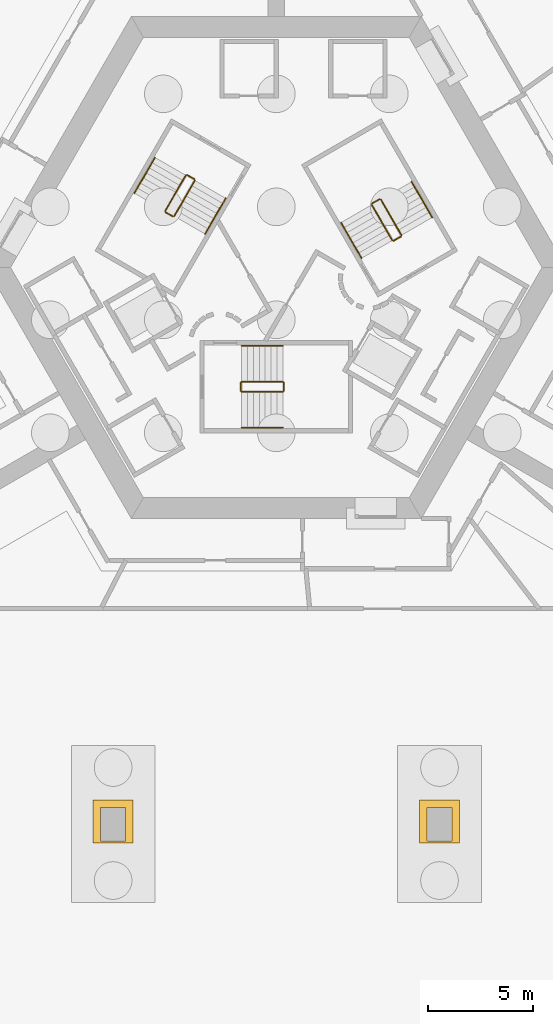
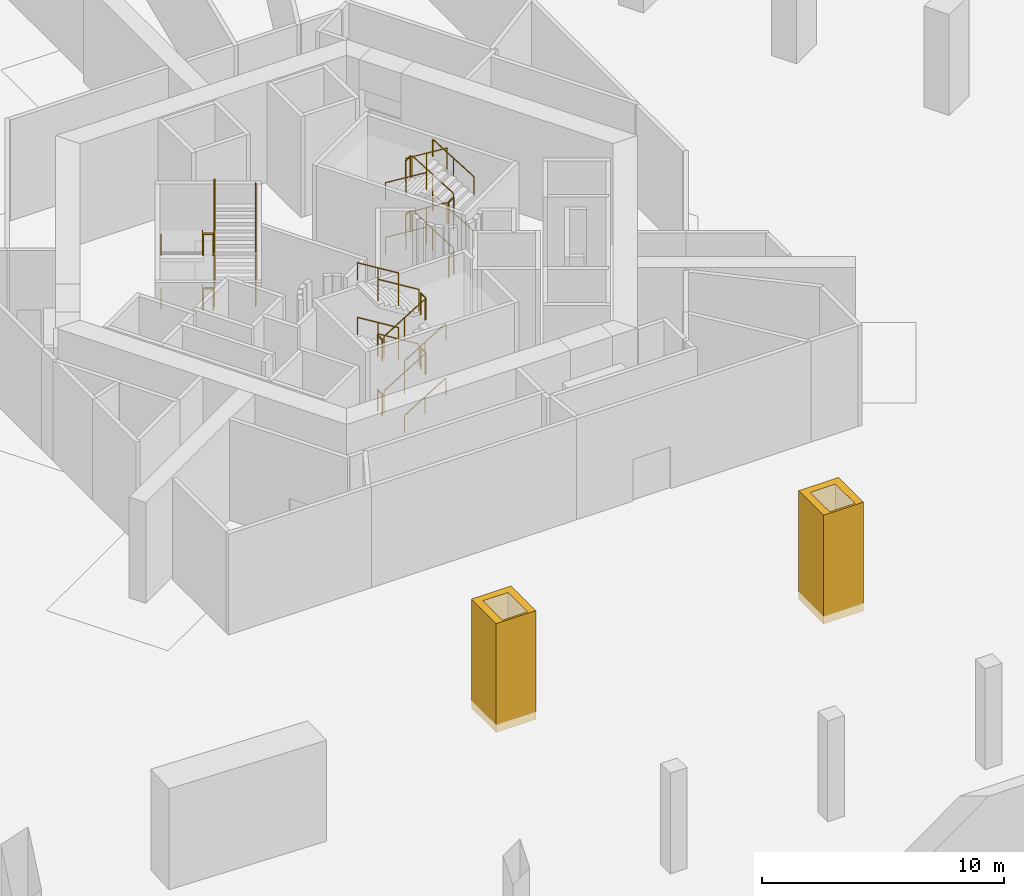
# One storey, part 13 of 14: 36 railings, 2 coverings.
"""IFC4 building model written with IfcOpenShell, lengths in metres."""

from ifc_helpers import new_model, si_unit, direction, frame, origin, origin_2d, place, context, subcontext, project, spatial, polyline, circle, outline, extrude, material, type_object, element, save


model = new_model("IFC4")

# Units and contexts
model_context = context("Model", 3, precision=1e-05, world=origin(), true_north=direction((0.0, 1.0)))
body_context = subcontext(model_context, "Body", "Model", "MODEL_VIEW")
ifc_project = project(units=[si_unit("LENGTHUNIT", "METRE"), si_unit("AREAUNIT", "SQUARE_METRE"), si_unit("VOLUMEUNIT", "CUBIC_METRE"), si_unit("PLANEANGLEUNIT", "RADIAN"), si_unit("MASSUNIT", "GRAM", prefix="KILO")], contexts=[model_context])

# Site, building, storey
site_placement = place(None, origin())
site = spatial("IfcSite", under=ifc_project, at=site_placement, CompositionType="ELEMENT")
building_placement = place(site_placement, origin())
building = spatial("IfcBuilding", under=site, at=building_placement, Name="Entoto Arch Interchange Tower", CompositionType="ELEMENT")
storey_placement = place(building_placement, frame((0.0, 0.0, -16.5)))
storey = spatial("IfcBuildingStorey", under=building, at=storey_placement, Name="B3", CompositionType="ELEMENT", Elevation=-16.5)

# Coverings
ifc_material_1 = material(Name="Board-marked precast concrete C50/60", Category="concrete")
covering_type = type_object("IfcCoveringType", Name="PRECAST FRAME COURSE", PredefinedType="CLADDING", material=ifc_material_1)
covering_1_placement = place(storey_placement, frame((0.0, 0.0, -0.39990234375)))
element("IfcCovering", 1, at=covering_1_placement, inside=storey, type_object=covering_type, Name="Gate pier B3", PredefinedType="CLADDING", context=body_context, shape_type="SweptSolid", body=[
    extrude(outline(polyline([(-8.75, -22.949951171875), (-6.85009765625, -22.949951171875), (-6.85009765625, -24.9990234375), (-8.75, -24.9990234375), (-8.75, -22.949951171875)]), holes=[polyline([(-8.39990234375, -23.300048828125), (-8.39990234375, -24.89990234375), (-7.199951171875, -24.89990234375), (-7.199951171875, -23.300048828125), (-8.39990234375, -23.300048828125)])]), origin(), (0.0, 0.0, 1.0), 5.47998046875),
])
covering_2_placement = place(storey_placement, frame((0.0, 0.0, -0.39990234375)))
element("IfcCovering", 2, at=covering_2_placement, inside=storey, type_object=covering_type, Name="Gate pier B3", PredefinedType="CLADDING", context=body_context, shape_type="SweptSolid", body=[
    extrude(outline(polyline([(6.85009765625, -22.949951171875), (8.75, -22.949951171875), (8.75, -24.9990234375), (6.85009765625, -24.9990234375), (6.85009765625, -22.949951171875)]), holes=[polyline([(7.199951171875, -23.300048828125), (7.199951171875, -24.89990234375), (8.39990234375, -24.89990234375), (8.39990234375, -23.300048828125), (7.199951171875, -23.300048828125)])]), origin(), (0.0, 0.0, 1.0), 5.47998046875),
])

# Railings
ifc_material_2 = material(Name="Stainless steel 1.4301", Category="steel")
railing_type_1 = type_object("IfcRailingType", Name="STAIR GUARD 1100 STEEL", PredefinedType="GUARDRAIL", material=ifc_material_2)
railing_1_placement = place(storey_placement, frame((-1.64990234375, -3.449951171875, 0.171875)))
element("IfcRailing", 3, at=railing_1_placement, inside=storey, type_object=railing_type_1, Name="B3 ST-S stair guard 1", PredefinedType="GUARDRAIL", context=body_context, shape_type="SweptSolid", body=[
    extrude(circle(Radius=0.02392578125, at=origin_2d()), frame((0.0, 0.0, 1.076171875), z_axis=(0.852240978134, 0.0, 0.523149419562), x_axis=(0.0, 1.0, 0.0)), (0.0, 0.0, 1.0), 2.2998046875),
    extrude(circle(Radius=0.02099609375, at=origin_2d()), origin(), (0.0, 0.0, 1.0), 1.052001953125),
    extrude(circle(Radius=0.02099609375, at=origin_2d()), frame((0.97998046875, 0.0, 0.6015625)), (0.0, 0.0, 1.0), 1.052001953125),
    extrude(circle(Radius=0.02099609375, at=origin_2d()), frame((1.9599609375, 0.0, 1.203125)), (0.0, 0.0, 1.0), 1.052001953125),
])
railing_2_placement = place(storey_placement, frame((0.360107421875, -3.39990234375, 1.375)))
element("IfcRailing", 4, at=railing_2_placement, inside=storey, type_object=railing_type_1, Name="B3 ST-S stair guard 2", PredefinedType="GUARDRAIL", context=body_context, shape_type="SweptSolid", body=[
    extrude(circle(Radius=0.02392578125, at=origin_2d()), frame((0.0, 0.0, 1.076171875), z_axis=(0.0, 1.0, 0.0), x_axis=(-1.0, 0.0, 0.0)), (0.0, 0.0, 1.0), 0.39990234375),
    extrude(circle(Radius=0.02099609375, at=origin_2d()), origin(), (0.0, 0.0, 1.0), 1.052001953125),
    extrude(circle(Radius=0.02099609375, at=origin_2d()), frame((0.0, 0.39990234375, 0.0)), (0.0, 0.0, 1.0), 1.052001953125),
])
railing_3_placement = place(storey_placement, frame((0.31005859375, -2.949951171875, 1.546875)))
element("IfcRailing", 5, at=railing_3_placement, inside=storey, type_object=railing_type_1, Name="B3 ST-S stair guard 3", PredefinedType="GUARDRAIL", context=body_context, shape_type="SweptSolid", body=[
    extrude(circle(Radius=0.02392578125, at=origin_2d()), frame((0.0, 0.0, 1.076171875), z_axis=(-0.852240978134, 0.0, 0.523149419562), x_axis=(0.0, -1.0, 0.0)), (0.0, 0.0, 1.0), 2.2998046875),
    extrude(circle(Radius=0.02099609375, at=origin_2d()), origin(), (0.0, 0.0, 1.0), 1.052001953125),
    extrude(circle(Radius=0.02099609375, at=origin_2d()), frame((-0.97998046875, 0.0, 0.6015625)), (0.0, 0.0, 1.0), 1.052001953125),
    extrude(circle(Radius=0.02099609375, at=origin_2d()), frame((-1.9599609375, 0.0, 1.203125)), (0.0, 0.0, 1.0), 1.052001953125),
])
railing_4_placement = place(storey_placement, frame((-1.699951171875, -3.39990234375, 2.75)))
element("IfcRailing", 6, at=railing_4_placement, inside=storey, type_object=railing_type_1, Name="B3 ST-S stair guard 4", PredefinedType="GUARDRAIL", context=body_context, shape_type="SweptSolid", body=[
    extrude(circle(Radius=0.02392578125, at=origin_2d()), frame((0.0, 0.0, 1.076171875), z_axis=(0.0, 1.0, 0.0), x_axis=(-1.0, 0.0, 0.0)), (0.0, 0.0, 1.0), 0.39990234375),
    extrude(circle(Radius=0.02099609375, at=origin_2d()), origin(), (0.0, 0.0, 1.0), 1.052001953125),
    extrude(circle(Radius=0.02099609375, at=origin_2d()), frame((0.0, 0.39990234375, 0.0)), (0.0, 0.0, 1.0), 1.052001953125),
])
railing_5_placement = place(storey_placement, frame((-1.64990234375, -3.449951171875, 2.921875)))
element("IfcRailing", 7, at=railing_5_placement, inside=storey, type_object=railing_type_1, Name="B3 ST-S stair guard 5", PredefinedType="GUARDRAIL", context=body_context, shape_type="SweptSolid", body=[
    extrude(circle(Radius=0.02392578125, at=origin_2d()), frame((0.0, 0.0, 1.076171875), z_axis=(0.852240978134, 0.0, 0.523149419562), x_axis=(0.0, 1.0, 0.0)), (0.0, 0.0, 1.0), 2.2998046875),
    extrude(circle(Radius=0.02099609375, at=origin_2d()), origin(), (0.0, 0.0, 1.0), 1.052001953125),
    extrude(circle(Radius=0.02099609375, at=origin_2d()), frame((0.97998046875, 0.0, 0.6015625)), (0.0, 0.0, 1.0), 1.052001953125),
    extrude(circle(Radius=0.02099609375, at=origin_2d()), frame((1.9599609375, 0.0, 1.203125)), (0.0, 0.0, 1.0), 1.052001953125),
])
railing_6_placement = place(storey_placement, frame((0.360107421875, -3.39990234375, 4.125)))
element("IfcRailing", 8, at=railing_6_placement, inside=storey, type_object=railing_type_1, Name="B3 ST-S stair guard 6", PredefinedType="GUARDRAIL", context=body_context, shape_type="SweptSolid", body=[
    extrude(circle(Radius=0.02392578125, at=origin_2d()), frame((0.0, 0.0, 1.076171875), z_axis=(0.0, 1.0, 0.0), x_axis=(-1.0, 0.0, 0.0)), (0.0, 0.0, 1.0), 0.39990234375),
    extrude(circle(Radius=0.02099609375, at=origin_2d()), origin(), (0.0, 0.0, 1.0), 1.052001953125),
    extrude(circle(Radius=0.02099609375, at=origin_2d()), frame((0.0, 0.39990234375, 0.0)), (0.0, 0.0, 1.0), 1.052001953125),
])
railing_7_placement = place(storey_placement, frame((0.31005859375, -2.949951171875, 4.296875)))
element("IfcRailing", 9, at=railing_7_placement, inside=storey, type_object=railing_type_1, Name="B3 ST-S stair guard 7", PredefinedType="GUARDRAIL", context=body_context, shape_type="SweptSolid", body=[
    extrude(circle(Radius=0.02392578125, at=origin_2d()), frame((0.0, 0.0, 1.076171875), z_axis=(-0.852240978134, 0.0, 0.523149419562), x_axis=(0.0, -1.0, 0.0)), (0.0, 0.0, 1.0), 2.2998046875),
    extrude(circle(Radius=0.02099609375, at=origin_2d()), origin(), (0.0, 0.0, 1.0), 1.052001953125),
    extrude(circle(Radius=0.02099609375, at=origin_2d()), frame((-0.97998046875, 0.0, 0.6015625)), (0.0, 0.0, 1.0), 1.052001953125),
    extrude(circle(Radius=0.02099609375, at=origin_2d()), frame((-1.9599609375, 0.0, 1.203125)), (0.0, 0.0, 1.0), 1.052001953125),
])
railing_8_placement = place(storey_placement, frame((-1.699951171875, -3.39990234375, 0.0)))
element("IfcRailing", 10, at=railing_8_placement, inside=storey, type_object=railing_type_1, Name="B3 ST-S stair guard 8", PredefinedType="GUARDRAIL", context=body_context, shape_type="SweptSolid", body=[
    extrude(circle(Radius=0.02392578125, at=origin_2d()), frame((0.0, 0.0, 1.076171875), z_axis=(0.0, 1.0, 0.0), x_axis=(-1.0, 0.0, 0.0)), (0.0, 0.0, 1.0), 0.39990234375),
    extrude(circle(Radius=0.02099609375, at=origin_2d()), origin(), (0.0, 0.0, 1.0), 1.052001953125),
    extrude(circle(Radius=0.02099609375, at=origin_2d()), frame((0.0, 0.39990234375, 0.0)), (0.0, 0.0, 1.0), 1.052001953125),
])
railing_9_placement = place(storey_placement, frame((5.977783203125, 4.046142578125, 0.171875)))
element("IfcRailing", 11, at=railing_9_placement, inside=storey, type_object=railing_type_1, Name="B3 ST-NE stair guard 1", PredefinedType="GUARDRAIL", context=body_context, shape_type="SweptSolid", body=[
    extrude(circle(Radius=0.02392578125, at=origin_2d()), frame((0.0, 0.0, 1.076171875), z_axis=(-0.42613557846, 0.738040493636, 0.523167944856), x_axis=(-0.866011328839, -0.500024377727, 0.0)), (0.0, 0.0, 1.0), 2.2998046875),
    extrude(circle(Radius=0.02099609375, at=origin_2d()), origin(), (0.0, 0.0, 1.0), 1.052001953125),
    extrude(circle(Radius=0.02099609375, at=origin_2d()), frame((-0.489990234375, 0.8486328125, 0.6015625)), (0.0, 0.0, 1.0), 1.052001953125),
    extrude(circle(Radius=0.02099609375, at=origin_2d()), frame((-0.97998046875, 1.697265625, 1.203125)), (0.0, 0.0, 1.0), 1.052001953125),
])
railing_10_placement = place(storey_placement, frame((4.929443359375, 5.76171875, 1.375)))
element("IfcRailing", 12, at=railing_10_placement, inside=storey, type_object=railing_type_1, Name="B3 ST-NE stair guard 2", PredefinedType="GUARDRAIL", context=body_context, shape_type="SweptSolid", body=[
    extrude(circle(Radius=0.02392578125, at=origin_2d()), frame((0.0, 0.0, 1.076171875), z_axis=(-0.865941482684, -0.500145327446, 0.0), x_axis=(0.500145327446, -0.865941482684, 0.0)), (0.0, 0.0, 1.0), 0.39990234375),
    extrude(circle(Radius=0.02099609375, at=origin_2d()), origin(), (0.0, 0.0, 1.0), 1.052001953125),
    extrude(circle(Radius=0.02099609375, at=origin_2d()), frame((-0.34619140625, -0.199951171875, 0.0)), (0.0, 0.0, 1.0), 1.052001953125),
])
railing_11_placement = place(storey_placement, frame((4.56494140625, 5.493408203125, 1.546875)))
element("IfcRailing", 13, at=railing_11_placement, inside=storey, type_object=railing_type_1, Name="B3 ST-NE stair guard 3", PredefinedType="GUARDRAIL", context=body_context, shape_type="SweptSolid", body=[
    extrude(circle(Radius=0.02392578125, at=origin_2d()), frame((0.0, 0.0, 1.076171875), z_axis=(0.42613557846, -0.738040493636, 0.523167944856), x_axis=(0.866011328839, 0.500024377727, 0.0)), (0.0, 0.0, 1.0), 2.2998046875),
    extrude(circle(Radius=0.02099609375, at=origin_2d()), origin(), (0.0, 0.0, 1.0), 1.052001953125),
    extrude(circle(Radius=0.02099609375, at=origin_2d()), frame((0.489990234375, -0.8486328125, 0.6015625)), (0.0, 0.0, 1.0), 1.052001953125),
    extrude(circle(Radius=0.02099609375, at=origin_2d()), frame((0.97998046875, -1.697265625, 1.203125)), (0.0, 0.0, 1.0), 1.052001953125),
])
railing_12_placement = place(storey_placement, frame((5.95947265625, 3.977783203125, 2.75)))
element("IfcRailing", 14, at=railing_12_placement, inside=storey, type_object=railing_type_1, Name="B3 ST-NE stair guard 4", PredefinedType="GUARDRAIL", context=body_context, shape_type="SweptSolid", body=[
    extrude(circle(Radius=0.02392578125, at=origin_2d()), frame((0.0, 0.0, 1.076171875), z_axis=(-0.866094119867, -0.499880961361, 0.0), x_axis=(0.499880961361, -0.866094119867, 0.0)), (0.0, 0.0, 1.0), 0.39990234375),
    extrude(circle(Radius=0.02099609375, at=origin_2d()), origin(), (0.0, 0.0, 1.0), 1.052001953125),
    extrude(circle(Radius=0.02099609375, at=origin_2d()), frame((-0.346435546875, -0.199951171875, 0.0)), (0.0, 0.0, 1.0), 1.052001953125),
])
railing_13_placement = place(storey_placement, frame((5.977783203125, 4.046142578125, 2.921875)))
element("IfcRailing", 15, at=railing_13_placement, inside=storey, type_object=railing_type_1, Name="B3 ST-NE stair guard 5", PredefinedType="GUARDRAIL", context=body_context, shape_type="SweptSolid", body=[
    extrude(circle(Radius=0.02392578125, at=origin_2d()), frame((0.0, 0.0, 1.076171875), z_axis=(-0.42613557846, 0.738040493636, 0.523167944856), x_axis=(-0.866011328839, -0.500024377727, 0.0)), (0.0, 0.0, 1.0), 2.2998046875),
    extrude(circle(Radius=0.02099609375, at=origin_2d()), origin(), (0.0, 0.0, 1.0), 1.052001953125),
    extrude(circle(Radius=0.02099609375, at=origin_2d()), frame((-0.489990234375, 0.8486328125, 0.6015625)), (0.0, 0.0, 1.0), 1.052001953125),
    extrude(circle(Radius=0.02099609375, at=origin_2d()), frame((-0.97998046875, 1.697265625, 1.203125)), (0.0, 0.0, 1.0), 1.052001953125),
])
railing_14_placement = place(storey_placement, frame((4.929443359375, 5.76171875, 4.125)))
element("IfcRailing", 16, at=railing_14_placement, inside=storey, type_object=railing_type_1, Name="B3 ST-NE stair guard 6", PredefinedType="GUARDRAIL", context=body_context, shape_type="SweptSolid", body=[
    extrude(circle(Radius=0.02392578125, at=origin_2d()), frame((0.0, 0.0, 1.076171875), z_axis=(-0.865941482684, -0.500145327446, 0.0), x_axis=(0.500145327446, -0.865941482684, 0.0)), (0.0, 0.0, 1.0), 0.39990234375),
    extrude(circle(Radius=0.02099609375, at=origin_2d()), origin(), (0.0, 0.0, 1.0), 1.052001953125),
    extrude(circle(Radius=0.02099609375, at=origin_2d()), frame((-0.34619140625, -0.199951171875, 0.0)), (0.0, 0.0, 1.0), 1.052001953125),
])
railing_15_placement = place(storey_placement, frame((4.56494140625, 5.493408203125, 4.296875)))
element("IfcRailing", 17, at=railing_15_placement, inside=storey, type_object=railing_type_1, Name="B3 ST-NE stair guard 7", PredefinedType="GUARDRAIL", context=body_context, shape_type="SweptSolid", body=[
    extrude(circle(Radius=0.02392578125, at=origin_2d()), frame((0.0, 0.0, 1.076171875), z_axis=(0.42613557846, -0.738040493636, 0.523167944856), x_axis=(0.866011328839, 0.500024377727, 0.0)), (0.0, 0.0, 1.0), 2.2998046875),
    extrude(circle(Radius=0.02099609375, at=origin_2d()), origin(), (0.0, 0.0, 1.0), 1.052001953125),
    extrude(circle(Radius=0.02099609375, at=origin_2d()), frame((0.489990234375, -0.8486328125, 0.6015625)), (0.0, 0.0, 1.0), 1.052001953125),
    extrude(circle(Radius=0.02099609375, at=origin_2d()), frame((0.97998046875, -1.697265625, 1.203125)), (0.0, 0.0, 1.0), 1.052001953125),
])
railing_16_placement = place(storey_placement, frame((5.95947265625, 3.977783203125, 0.0)))
element("IfcRailing", 18, at=railing_16_placement, inside=storey, type_object=railing_type_1, Name="B3 ST-NE stair guard 8", PredefinedType="GUARDRAIL", context=body_context, shape_type="SweptSolid", body=[
    extrude(circle(Radius=0.02392578125, at=origin_2d()), frame((0.0, 0.0, 1.076171875), z_axis=(-0.866094119867, -0.499880961361, 0.0), x_axis=(0.499880961361, -0.866094119867, 0.0)), (0.0, 0.0, 1.0), 0.39990234375),
    extrude(circle(Radius=0.02099609375, at=origin_2d()), origin(), (0.0, 0.0, 1.0), 1.052001953125),
    extrude(circle(Radius=0.02099609375, at=origin_2d()), frame((-0.346435546875, -0.199951171875, 0.0)), (0.0, 0.0, 1.0), 1.052001953125),
])
railing_17_placement = place(storey_placement, frame((-4.327880859375, 6.904052734375, 0.171875)))
element("IfcRailing", 19, at=railing_17_placement, inside=storey, type_object=railing_type_1, Name="B3 ST-NW stair guard 1", PredefinedType="GUARDRAIL", context=body_context, shape_type="SweptSolid", body=[
    extrude(circle(Radius=0.02392578125, at=origin_2d()), frame((0.0, 0.0, 1.076171875), z_axis=(-0.426102191367, -0.738088823262, 0.52312695542), x_axis=(0.866042469362, -0.499970440388, 0.0)), (0.0, 0.0, 1.0), 2.2998046875),
    extrude(circle(Radius=0.02099609375, at=origin_2d()), origin(), (0.0, 0.0, 1.0), 1.052001953125),
    extrude(circle(Radius=0.02099609375, at=origin_2d()), frame((-0.489990234375, -0.8486328125, 0.6015625)), (0.0, 0.0, 1.0), 1.052001953125),
    extrude(circle(Radius=0.02099609375, at=origin_2d()), frame((-0.97998046875, -1.697509765625, 1.203125)), (0.0, 0.0, 1.0), 1.052001953125),
])
railing_18_placement = place(storey_placement, frame((-5.28955078125, 5.13818359375, 1.375)))
element("IfcRailing", 20, at=railing_18_placement, inside=storey, type_object=railing_type_1, Name="B3 ST-NW stair guard 2", PredefinedType="GUARDRAIL", context=body_context, shape_type="SweptSolid", body=[
    extrude(circle(Radius=0.02392578125, at=origin_2d()), frame((0.0, 0.0, 1.076171875), z_axis=(0.866094119867, -0.499880961361, 0.0), x_axis=(0.499880961361, 0.866094119867, 0.0)), (0.0, 0.0, 1.0), 0.39990234375),
    extrude(circle(Radius=0.02099609375, at=origin_2d()), origin(), (0.0, 0.0, 1.0), 1.052001953125),
    extrude(circle(Radius=0.02099609375, at=origin_2d()), frame((0.346435546875, -0.199951171875, 0.0)), (0.0, 0.0, 1.0), 1.052001953125),
])
railing_19_placement = place(storey_placement, frame((-4.874755859375, 4.95654296875, 1.546875)))
element("IfcRailing", 21, at=railing_19_placement, inside=storey, type_object=railing_type_1, Name="B3 ST-NW stair guard 3", PredefinedType="GUARDRAIL", context=body_context, shape_type="SweptSolid", body=[
    extrude(circle(Radius=0.02392578125, at=origin_2d()), frame((0.0, 0.0, 1.076171875), z_axis=(0.426102191367, 0.738088823262, 0.52312695542), x_axis=(-0.866042469362, 0.499970440388, 0.0)), (0.0, 0.0, 1.0), 2.2998046875),
    extrude(circle(Radius=0.02099609375, at=origin_2d()), origin(), (0.0, 0.0, 1.0), 1.052001953125),
    extrude(circle(Radius=0.02099609375, at=origin_2d()), frame((0.489990234375, 0.8486328125, 0.6015625)), (0.0, 0.0, 1.0), 1.052001953125),
    extrude(circle(Radius=0.02099609375, at=origin_2d()), frame((0.97998046875, 1.697509765625, 1.203125)), (0.0, 0.0, 1.0), 1.052001953125),
])
railing_20_placement = place(storey_placement, frame((-4.259521484375, 6.92236328125, 2.75)))
element("IfcRailing", 22, at=railing_20_placement, inside=storey, type_object=railing_type_1, Name="B3 ST-NW stair guard 4", PredefinedType="GUARDRAIL", context=body_context, shape_type="SweptSolid", body=[
    extrude(circle(Radius=0.02392578125, at=origin_2d()), frame((0.0, 0.0, 1.076171875), z_axis=(0.865829829939, -0.500338590944, 0.0), x_axis=(0.500338590944, 0.865829829939, 0.0)), (0.0, 0.0, 1.0), 0.400146484375),
    extrude(circle(Radius=0.02099609375, at=origin_2d()), origin(), (0.0, 0.0, 1.0), 1.052001953125),
    extrude(circle(Radius=0.02099609375, at=origin_2d()), frame((0.346435546875, -0.2001953125, 0.0)), (0.0, 0.0, 1.0), 1.052001953125),
])
railing_21_placement = place(storey_placement, frame((-4.327880859375, 6.904052734375, 2.921875)))
element("IfcRailing", 23, at=railing_21_placement, inside=storey, type_object=railing_type_1, Name="B3 ST-NW stair guard 5", PredefinedType="GUARDRAIL", context=body_context, shape_type="SweptSolid", body=[
    extrude(circle(Radius=0.02392578125, at=origin_2d()), frame((0.0, 0.0, 1.076171875), z_axis=(-0.426102191367, -0.738088823262, 0.52312695542), x_axis=(0.866042469362, -0.499970440388, 0.0)), (0.0, 0.0, 1.0), 2.2998046875),
    extrude(circle(Radius=0.02099609375, at=origin_2d()), origin(), (0.0, 0.0, 1.0), 1.052001953125),
    extrude(circle(Radius=0.02099609375, at=origin_2d()), frame((-0.489990234375, -0.8486328125, 0.6015625)), (0.0, 0.0, 1.0), 1.052001953125),
    extrude(circle(Radius=0.02099609375, at=origin_2d()), frame((-0.97998046875, -1.697509765625, 1.203125)), (0.0, 0.0, 1.0), 1.052001953125),
])
railing_22_placement = place(storey_placement, frame((-5.28955078125, 5.13818359375, 4.125)))
element("IfcRailing", 24, at=railing_22_placement, inside=storey, type_object=railing_type_1, Name="B3 ST-NW stair guard 6", PredefinedType="GUARDRAIL", context=body_context, shape_type="SweptSolid", body=[
    extrude(circle(Radius=0.02392578125, at=origin_2d()), frame((0.0, 0.0, 1.076171875), z_axis=(0.866094119867, -0.499880961361, 0.0), x_axis=(0.499880961361, 0.866094119867, 0.0)), (0.0, 0.0, 1.0), 0.39990234375),
    extrude(circle(Radius=0.02099609375, at=origin_2d()), origin(), (0.0, 0.0, 1.0), 1.052001953125),
    extrude(circle(Radius=0.02099609375, at=origin_2d()), frame((0.346435546875, -0.199951171875, 0.0)), (0.0, 0.0, 1.0), 1.052001953125),
])
railing_23_placement = place(storey_placement, frame((-4.874755859375, 4.95654296875, 4.296875)))
element("IfcRailing", 25, at=railing_23_placement, inside=storey, type_object=railing_type_1, Name="B3 ST-NW stair guard 7", PredefinedType="GUARDRAIL", context=body_context, shape_type="SweptSolid", body=[
    extrude(circle(Radius=0.02392578125, at=origin_2d()), frame((0.0, 0.0, 1.076171875), z_axis=(0.426102191367, 0.738088823262, 0.52312695542), x_axis=(-0.866042469362, 0.499970440388, 0.0)), (0.0, 0.0, 1.0), 2.2998046875),
    extrude(circle(Radius=0.02099609375, at=origin_2d()), origin(), (0.0, 0.0, 1.0), 1.052001953125),
    extrude(circle(Radius=0.02099609375, at=origin_2d()), frame((0.489990234375, 0.8486328125, 0.6015625)), (0.0, 0.0, 1.0), 1.052001953125),
    extrude(circle(Radius=0.02099609375, at=origin_2d()), frame((0.97998046875, 1.697509765625, 1.203125)), (0.0, 0.0, 1.0), 1.052001953125),
])
railing_24_placement = place(storey_placement, frame((-4.259521484375, 6.92236328125, 0.0)))
element("IfcRailing", 26, at=railing_24_placement, inside=storey, type_object=railing_type_1, Name="B3 ST-NW stair guard 8", PredefinedType="GUARDRAIL", context=body_context, shape_type="SweptSolid", body=[
    extrude(circle(Radius=0.02392578125, at=origin_2d()), frame((0.0, 0.0, 1.076171875), z_axis=(0.865829829939, -0.500338590944, 0.0), x_axis=(0.500338590944, 0.865829829939, 0.0)), (0.0, 0.0, 1.0), 0.400146484375),
    extrude(circle(Radius=0.02099609375, at=origin_2d()), origin(), (0.0, 0.0, 1.0), 1.052001953125),
    extrude(circle(Radius=0.02099609375, at=origin_2d()), frame((0.346435546875, -0.2001953125, 0.0)), (0.0, 0.0, 1.0), 1.052001953125),
])
railing_type_2 = type_object("IfcRailingType", Name="STAIR HANDRAIL 900 STEEL", PredefinedType="HANDRAIL", material=ifc_material_2)
railing_25_placement = place(storey_placement, frame((-1.64990234375, -5.14990234375, 0.171875)))
element("IfcRailing", 27, at=railing_25_placement, inside=storey, type_object=railing_type_2, Name="B3 ST-S stair handrail 1", PredefinedType="HANDRAIL", context=body_context, shape_type="SweptSolid", body=[
    extrude(circle(Radius=0.02392578125, at=origin_2d()), frame((0.0, 0.0, 0.8759765625), z_axis=(0.852240978134, 0.0, 0.523149419562), x_axis=(0.0, 1.0, 0.0)), (0.0, 0.0, 1.0), 2.2998046875),
    extrude(circle(Radius=0.02099609375, at=origin_2d()), origin(), (0.0, 0.0, 1.0), 0.851806640625),
    extrude(circle(Radius=0.02099609375, at=origin_2d()), frame((0.97998046875, 0.0, 0.6015625)), (0.0, 0.0, 1.0), 0.851806640625),
    extrude(circle(Radius=0.02099609375, at=origin_2d()), frame((1.9599609375, 0.0, 1.203125)), (0.0, 0.0, 1.0), 0.851806640625),
])
railing_26_placement = place(storey_placement, frame((0.31005859375, -1.25, 1.546875)))
element("IfcRailing", 28, at=railing_26_placement, inside=storey, type_object=railing_type_2, Name="B3 ST-S stair handrail 2", PredefinedType="HANDRAIL", context=body_context, shape_type="SweptSolid", body=[
    extrude(circle(Radius=0.02392578125, at=origin_2d()), frame((0.0, 0.0, 0.8759765625), z_axis=(-0.852240978134, 0.0, 0.523149419562), x_axis=(0.0, -1.0, 0.0)), (0.0, 0.0, 1.0), 2.2998046875),
    extrude(circle(Radius=0.02099609375, at=origin_2d()), origin(), (0.0, 0.0, 1.0), 0.851806640625),
    extrude(circle(Radius=0.02099609375, at=origin_2d()), frame((-0.97998046875, 0.0, 0.6015625)), (0.0, 0.0, 1.0), 0.851806640625),
    extrude(circle(Radius=0.02099609375, at=origin_2d()), frame((-1.9599609375, 0.0, 1.203125)), (0.0, 0.0, 1.0), 0.851806640625),
])
railing_27_placement = place(storey_placement, frame((-1.64990234375, -5.14990234375, 2.921875)))
element("IfcRailing", 29, at=railing_27_placement, inside=storey, type_object=railing_type_2, Name="B3 ST-S stair handrail 3", PredefinedType="HANDRAIL", context=body_context, shape_type="SweptSolid", body=[
    extrude(circle(Radius=0.02392578125, at=origin_2d()), frame((0.0, 0.0, 0.8759765625), z_axis=(0.852240978134, 0.0, 0.523149419562), x_axis=(0.0, 1.0, 0.0)), (0.0, 0.0, 1.0), 2.2998046875),
    extrude(circle(Radius=0.02099609375, at=origin_2d()), origin(), (0.0, 0.0, 1.0), 0.851806640625),
    extrude(circle(Radius=0.02099609375, at=origin_2d()), frame((0.97998046875, 0.0, 0.6015625)), (0.0, 0.0, 1.0), 0.851806640625),
    extrude(circle(Radius=0.02099609375, at=origin_2d()), frame((1.9599609375, 0.0, 1.203125)), (0.0, 0.0, 1.0), 0.851806640625),
])
railing_28_placement = place(storey_placement, frame((0.31005859375, -1.25, 4.296875)))
element("IfcRailing", 30, at=railing_28_placement, inside=storey, type_object=railing_type_2, Name="B3 ST-S stair handrail 4", PredefinedType="HANDRAIL", context=body_context, shape_type="SweptSolid", body=[
    extrude(circle(Radius=0.02392578125, at=origin_2d()), frame((0.0, 0.0, 0.8759765625), z_axis=(-0.852240978134, 0.0, 0.523149419562), x_axis=(0.0, -1.0, 0.0)), (0.0, 0.0, 1.0), 2.2998046875),
    extrude(circle(Radius=0.02099609375, at=origin_2d()), origin(), (0.0, 0.0, 1.0), 0.851806640625),
    extrude(circle(Radius=0.02099609375, at=origin_2d()), frame((-0.97998046875, 0.0, 0.6015625)), (0.0, 0.0, 1.0), 0.851806640625),
    extrude(circle(Radius=0.02099609375, at=origin_2d()), frame((-1.9599609375, 0.0, 1.203125)), (0.0, 0.0, 1.0), 0.851806640625),
])
railing_29_placement = place(storey_placement, frame((7.4501953125, 4.89599609375, 0.171875)))
element("IfcRailing", 31, at=railing_29_placement, inside=storey, type_object=railing_type_2, Name="B3 ST-NE stair handrail 1", PredefinedType="HANDRAIL", context=body_context, shape_type="SweptSolid", body=[
    extrude(circle(Radius=0.02392578125, at=origin_2d()), frame((0.0, 0.0, 0.8759765625), z_axis=(-0.426102191367, 0.738088823262, 0.52312695542), x_axis=(-0.866042469362, -0.499970440388, 0.0)), (0.0, 0.0, 1.0), 2.2998046875),
    extrude(circle(Radius=0.02099609375, at=origin_2d()), origin(), (0.0, 0.0, 1.0), 0.851806640625),
    extrude(circle(Radius=0.02099609375, at=origin_2d()), frame((-0.489990234375, 0.8486328125, 0.6015625)), (0.0, 0.0, 1.0), 0.851806640625),
    extrude(circle(Radius=0.02099609375, at=origin_2d()), frame((-0.97998046875, 1.697509765625, 1.203125)), (0.0, 0.0, 1.0), 0.851806640625),
])
railing_30_placement = place(storey_placement, frame((3.092529296875, 4.6435546875, 1.546875)))
element("IfcRailing", 32, at=railing_30_placement, inside=storey, type_object=railing_type_2, Name="B3 ST-NE stair handrail 2", PredefinedType="HANDRAIL", context=body_context, shape_type="SweptSolid", body=[
    extrude(circle(Radius=0.02392578125, at=origin_2d()), frame((0.0, 0.0, 0.8759765625), z_axis=(0.426102191367, -0.738088823262, 0.52312695542), x_axis=(0.866042469362, 0.499970440388, 0.0)), (0.0, 0.0, 1.0), 2.2998046875),
    extrude(circle(Radius=0.02099609375, at=origin_2d()), origin(), (0.0, 0.0, 1.0), 0.851806640625),
    extrude(circle(Radius=0.02099609375, at=origin_2d()), frame((0.489990234375, -0.8486328125, 0.6015625)), (0.0, 0.0, 1.0), 0.851806640625),
    extrude(circle(Radius=0.02099609375, at=origin_2d()), frame((0.97998046875, -1.697509765625, 1.203125)), (0.0, 0.0, 1.0), 0.851806640625),
])
railing_31_placement = place(storey_placement, frame((7.4501953125, 4.89599609375, 2.921875)))
element("IfcRailing", 33, at=railing_31_placement, inside=storey, type_object=railing_type_2, Name="B3 ST-NE stair handrail 3", PredefinedType="HANDRAIL", context=body_context, shape_type="SweptSolid", body=[
    extrude(circle(Radius=0.02392578125, at=origin_2d()), frame((0.0, 0.0, 0.8759765625), z_axis=(-0.426102191367, 0.738088823262, 0.52312695542), x_axis=(-0.866042469362, -0.499970440388, 0.0)), (0.0, 0.0, 1.0), 2.2998046875),
    extrude(circle(Radius=0.02099609375, at=origin_2d()), origin(), (0.0, 0.0, 1.0), 0.851806640625),
    extrude(circle(Radius=0.02099609375, at=origin_2d()), frame((-0.489990234375, 0.8486328125, 0.6015625)), (0.0, 0.0, 1.0), 0.851806640625),
    extrude(circle(Radius=0.02099609375, at=origin_2d()), frame((-0.97998046875, 1.697509765625, 1.203125)), (0.0, 0.0, 1.0), 0.851806640625),
])
railing_32_placement = place(storey_placement, frame((3.092529296875, 4.6435546875, 4.296875)))
element("IfcRailing", 34, at=railing_32_placement, inside=storey, type_object=railing_type_2, Name="B3 ST-NE stair handrail 4", PredefinedType="HANDRAIL", context=body_context, shape_type="SweptSolid", body=[
    extrude(circle(Radius=0.02392578125, at=origin_2d()), frame((0.0, 0.0, 0.8759765625), z_axis=(0.426102191367, -0.738088823262, 0.52312695542), x_axis=(0.866042469362, 0.499970440388, 0.0)), (0.0, 0.0, 1.0), 2.2998046875),
    extrude(circle(Radius=0.02099609375, at=origin_2d()), origin(), (0.0, 0.0, 1.0), 0.851806640625),
    extrude(circle(Radius=0.02099609375, at=origin_2d()), frame((0.489990234375, -0.8486328125, 0.6015625)), (0.0, 0.0, 1.0), 0.851806640625),
    extrude(circle(Radius=0.02099609375, at=origin_2d()), frame((0.97998046875, -1.697509765625, 1.203125)), (0.0, 0.0, 1.0), 0.851806640625),
])
railing_33_placement = place(storey_placement, frame((-5.800048828125, 7.75390625, 0.171875)))
element("IfcRailing", 35, at=railing_33_placement, inside=storey, type_object=railing_type_2, Name="B3 ST-NW stair handrail 1", PredefinedType="HANDRAIL", context=body_context, shape_type="SweptSolid", body=[
    extrude(circle(Radius=0.02392578125, at=origin_2d()), frame((0.0, 0.0, 0.8759765625), z_axis=(-0.42613557846, -0.738040493636, 0.523167944856), x_axis=(0.866011328839, -0.500024377727, 0.0)), (0.0, 0.0, 1.0), 2.2998046875),
    extrude(circle(Radius=0.02099609375, at=origin_2d()), origin(), (0.0, 0.0, 1.0), 0.851806640625),
    extrude(circle(Radius=0.02099609375, at=origin_2d()), frame((-0.489990234375, -0.8486328125, 0.6015625)), (0.0, 0.0, 1.0), 0.851806640625),
    extrude(circle(Radius=0.02099609375, at=origin_2d()), frame((-0.97998046875, -1.697265625, 1.203125)), (0.0, 0.0, 1.0), 0.851806640625),
])
railing_34_placement = place(storey_placement, frame((-3.402587890625, 4.1064453125, 1.546875)))
element("IfcRailing", 36, at=railing_34_placement, inside=storey, type_object=railing_type_2, Name="B3 ST-NW stair handrail 2", PredefinedType="HANDRAIL", context=body_context, shape_type="SweptSolid", body=[
    extrude(circle(Radius=0.02392578125, at=origin_2d()), frame((0.0, 0.0, 0.8759765625), z_axis=(0.426102191367, 0.738088823262, 0.52312695542), x_axis=(-0.866042469362, 0.499970440388, 0.0)), (0.0, 0.0, 1.0), 2.2998046875),
    extrude(circle(Radius=0.02099609375, at=origin_2d()), origin(), (0.0, 0.0, 1.0), 0.851806640625),
    extrude(circle(Radius=0.02099609375, at=origin_2d()), frame((0.489990234375, 0.8486328125, 0.6015625)), (0.0, 0.0, 1.0), 0.851806640625),
    extrude(circle(Radius=0.02099609375, at=origin_2d()), frame((0.97998046875, 1.697509765625, 1.203125)), (0.0, 0.0, 1.0), 0.851806640625),
])
railing_35_placement = place(storey_placement, frame((-5.800048828125, 7.75390625, 2.921875)))
element("IfcRailing", 37, at=railing_35_placement, inside=storey, type_object=railing_type_2, Name="B3 ST-NW stair handrail 3", PredefinedType="HANDRAIL", context=body_context, shape_type="SweptSolid", body=[
    extrude(circle(Radius=0.02392578125, at=origin_2d()), frame((0.0, 0.0, 0.8759765625), z_axis=(-0.42613557846, -0.738040493636, 0.523167944856), x_axis=(0.866011328839, -0.500024377727, 0.0)), (0.0, 0.0, 1.0), 2.2998046875),
    extrude(circle(Radius=0.02099609375, at=origin_2d()), origin(), (0.0, 0.0, 1.0), 0.851806640625),
    extrude(circle(Radius=0.02099609375, at=origin_2d()), frame((-0.489990234375, -0.8486328125, 0.6015625)), (0.0, 0.0, 1.0), 0.851806640625),
    extrude(circle(Radius=0.02099609375, at=origin_2d()), frame((-0.97998046875, -1.697265625, 1.203125)), (0.0, 0.0, 1.0), 0.851806640625),
])
railing_36_placement = place(storey_placement, frame((-3.402587890625, 4.1064453125, 4.296875)))
element("IfcRailing", 38, at=railing_36_placement, inside=storey, type_object=railing_type_2, Name="B3 ST-NW stair handrail 4", PredefinedType="HANDRAIL", context=body_context, shape_type="SweptSolid", body=[
    extrude(circle(Radius=0.02392578125, at=origin_2d()), frame((0.0, 0.0, 0.8759765625), z_axis=(0.426102191367, 0.738088823262, 0.52312695542), x_axis=(-0.866042469362, 0.499970440388, 0.0)), (0.0, 0.0, 1.0), 2.2998046875),
    extrude(circle(Radius=0.02099609375, at=origin_2d()), origin(), (0.0, 0.0, 1.0), 0.851806640625),
    extrude(circle(Radius=0.02099609375, at=origin_2d()), frame((0.489990234375, 0.8486328125, 0.6015625)), (0.0, 0.0, 1.0), 0.851806640625),
    extrude(circle(Radius=0.02099609375, at=origin_2d()), frame((0.97998046875, 1.697509765625, 1.203125)), (0.0, 0.0, 1.0), 0.851806640625),
])

save(model, "model.ifc")
